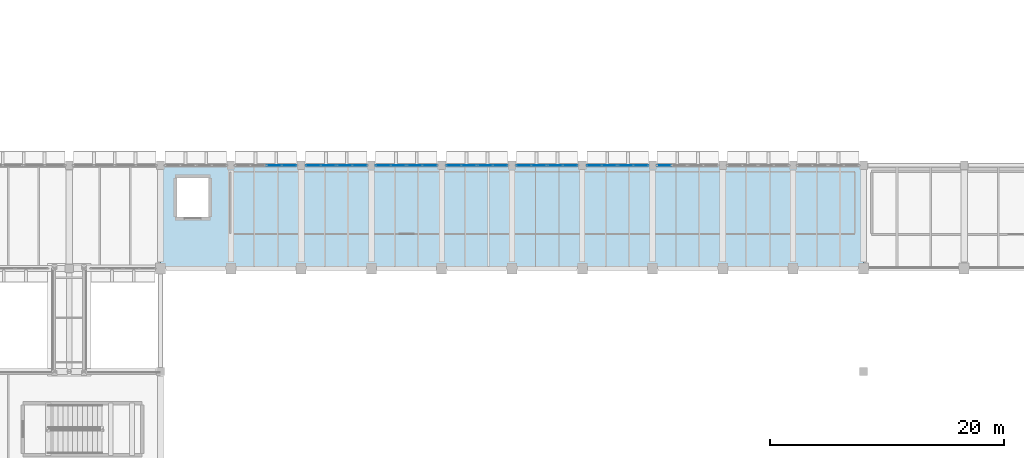
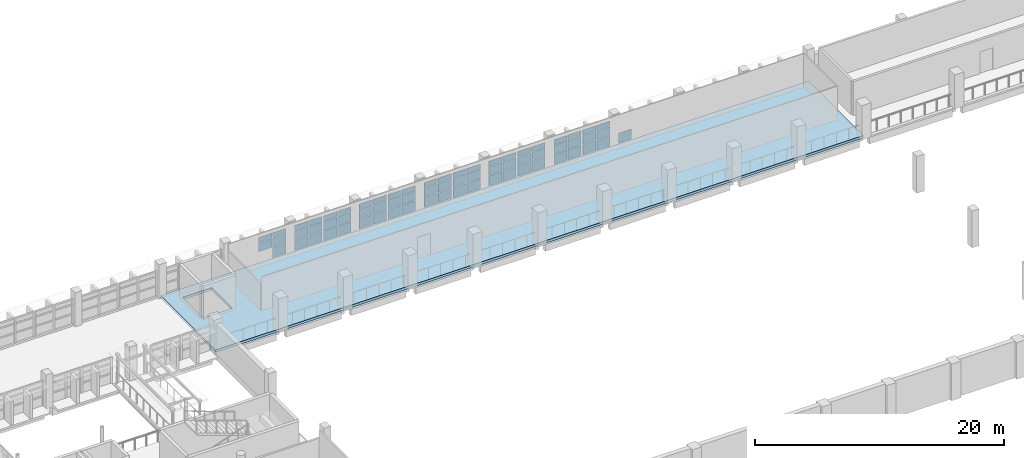
# One storey, part 49 of 75: 66 plates, 1 slab, 12 elements without a shape of their own.
"""IFC4 building model written with IfcOpenShell, lengths in metres."""

from ifc_helpers import new_model, si_unit, direction, frame, origin, origin_2d, place, context, subcontext, project, spatial, polyline, rectangle, outline, extrude, material, layer, layer_set, type_object, element, aggregate, save


model = new_model("IFC4")

# Units and contexts
model_context = context("Model", 3, precision=1e-05, world=origin(), true_north=direction((0.0, 1.0)))
body_context = subcontext(model_context, "Body", "Model", "MODEL_VIEW")
ifc_project = project(units=[si_unit("LENGTHUNIT", "METRE"), si_unit("AREAUNIT", "SQUARE_METRE"), si_unit("VOLUMEUNIT", "CUBIC_METRE"), si_unit("PLANEANGLEUNIT", "RADIAN"), si_unit("MASSUNIT", "GRAM", prefix="KILO")], contexts=[model_context])

# Site, building, storey
site_placement = place(None, origin())
site = spatial("IfcSite", under=ifc_project, at=site_placement, CompositionType="ELEMENT")
building_placement = place(site_placement, origin())
building = spatial("IfcBuilding", under=site, at=building_placement, Name="Varnakota Cinema and Media Centre", CompositionType="ELEMENT")
storey_placement = place(building_placement, frame((0.0, 0.0, 8.39990234375)))
storey = spatial("IfcBuildingStorey", under=building, at=storey_placement, Name="L02", CompositionType="ELEMENT", Elevation=8.39990234375)

# Curtain wall, plates
ifc_material_1 = material(Name="Thermally broken anodised aluminium AW-6063", Category="aluminium")
curtain_wall_type = type_object("IfcCurtainWallType", Name="CW-STD-264x258", PredefinedType="USERDEFINED", material=ifc_material_1)
curtain_wall_1_placement = place(storey_placement, origin())
curtain_wall_1 = element("IfcCurtainWall", 1, at=curtain_wall_1_placement, inside=storey, type_object=curtain_wall_type, Name="L02 curtain wall CW-L02-V1-N-02-2", ObjectType="UNITISED CURTAIN WALL", PredefinedType="USERDEFINED")
ifc_material_2 = material(Name="Laminated solar-control double glazing", Category="glass")
ifc_layer_1 = layer(ifc_material_2, 0.028076171875)
ifc_layer_set_1 = layer_set([ifc_layer_1], Name="Laminated solar-control double glazing")
plate_type = type_object("IfcPlateType", Name="CWP-DGU-28", PredefinedType="CURTAIN_PANEL", material=ifc_layer_set_1)
plate_1_placement = place(storey_placement, frame((84.684326171875, 44.0, 1.1142578125), z_axis=(0.0, 0.0, 1.0), x_axis=(1.0, 0.0, 0.0)))
plate_1 = element("IfcPlate", 2, at=plate_1_placement, type_object=plate_type, Name="CW29 panel 1.2", PredefinedType="CURTAIN_PANEL", context=body_context, shape_type="SweptSolid", body=[
    extrude(rectangle(XDim=1.2236328125, YDim=0.028076171875, at=origin_2d()), origin(), (0.0, 0.0, 1.0), 0.862060546875),
])
plate_2_placement = place(storey_placement, frame((84.684326171875, 44.0, 2.041015625), z_axis=(0.0, 0.0, 1.0), x_axis=(1.0, 0.0, 0.0)))
plate_2 = element("IfcPlate", 3, at=plate_2_placement, type_object=plate_type, Name="CW29 panel 1.3", PredefinedType="CURTAIN_PANEL", context=body_context, shape_type="SweptSolid", body=[
    extrude(rectangle(XDim=1.2236328125, YDim=0.028076171875, at=origin_2d()), origin(), (0.0, 0.0, 1.0), 0.468994140625),
])
plate_3_placement = place(storey_placement, frame((85.97314453125, 44.0, 0.065185546875), z_axis=(0.0, 0.0, 1.0), x_axis=(1.0, 0.0, 0.0)))
plate_3 = element("IfcPlate", 4, at=plate_3_placement, type_object=plate_type, Name="CW29 panel 2.1", PredefinedType="CURTAIN_PANEL", context=body_context, shape_type="SweptSolid", body=[
    extrude(rectangle(XDim=1.2236328125, YDim=0.028076171875, at=origin_2d()), origin(), (0.0, 0.0, 1.0), 0.98388671875),
])
plate_4_placement = place(storey_placement, frame((85.97314453125, 44.0, 1.1142578125), z_axis=(0.0, 0.0, 1.0), x_axis=(1.0, 0.0, 0.0)))
plate_4 = element("IfcPlate", 5, at=plate_4_placement, type_object=plate_type, Name="CW29 panel 2.2", PredefinedType="CURTAIN_PANEL", context=body_context, shape_type="SweptSolid", body=[
    extrude(rectangle(XDim=1.2236328125, YDim=0.028076171875, at=origin_2d()), origin(), (0.0, 0.0, 1.0), 0.862060546875),
])
plate_5_placement = place(storey_placement, frame((85.97314453125, 44.0, 2.041015625), z_axis=(0.0, 0.0, 1.0), x_axis=(1.0, 0.0, 0.0)))
plate_5 = element("IfcPlate", 6, at=plate_5_placement, type_object=plate_type, Name="CW29 panel 2.3", PredefinedType="CURTAIN_PANEL", context=body_context, shape_type="SweptSolid", body=[
    extrude(rectangle(XDim=1.2236328125, YDim=0.028076171875, at=origin_2d()), origin(), (0.0, 0.0, 1.0), 0.468994140625),
])
aggregate(curtain_wall_1, [plate_1, plate_2, plate_3, plate_4, plate_5])

curtain_wall_2_placement = place(storey_placement, origin())
curtain_wall_2 = element("IfcCurtainWall", 7, at=curtain_wall_2_placement, inside=storey, type_object=curtain_wall_type, Name="L02 curtain wall CW-L02-V1-N-03-1", ObjectType="UNITISED CURTAIN WALL", PredefinedType="USERDEFINED")
plate_6_placement = place(storey_placement, frame((88.02685546875, 44.0, 0.065185546875), z_axis=(0.0, 0.0, 1.0), x_axis=(1.0, 0.0, 0.0)))
plate_6 = element("IfcPlate", 8, at=plate_6_placement, type_object=plate_type, Name="CW29 panel 1.1", PredefinedType="CURTAIN_PANEL", context=body_context, shape_type="SweptSolid", body=[
    extrude(rectangle(XDim=1.2236328125, YDim=0.028076171875, at=origin_2d()), origin(), (0.0, 0.0, 1.0), 0.98388671875),
])
plate_7_placement = place(storey_placement, frame((88.02685546875, 44.0, 1.1142578125), z_axis=(0.0, 0.0, 1.0), x_axis=(1.0, 0.0, 0.0)))
plate_7 = element("IfcPlate", 9, at=plate_7_placement, type_object=plate_type, Name="CW29 panel 1.2", PredefinedType="CURTAIN_PANEL", context=body_context, shape_type="SweptSolid", body=[
    extrude(rectangle(XDim=1.2236328125, YDim=0.028076171875, at=origin_2d()), origin(), (0.0, 0.0, 1.0), 0.862060546875),
])
plate_8_placement = place(storey_placement, frame((88.02685546875, 44.0, 2.041015625), z_axis=(0.0, 0.0, 1.0), x_axis=(1.0, 0.0, 0.0)))
plate_8 = element("IfcPlate", 10, at=plate_8_placement, type_object=plate_type, Name="CW29 panel 1.3", PredefinedType="CURTAIN_PANEL", context=body_context, shape_type="SweptSolid", body=[
    extrude(rectangle(XDim=1.2236328125, YDim=0.028076171875, at=origin_2d()), origin(), (0.0, 0.0, 1.0), 0.468994140625),
])
plate_9_placement = place(storey_placement, frame((89.315673828125, 44.0, 0.065185546875), z_axis=(0.0, 0.0, 1.0), x_axis=(1.0, 0.0, 0.0)))
plate_9 = element("IfcPlate", 11, at=plate_9_placement, type_object=plate_type, Name="CW29 panel 2.1", PredefinedType="CURTAIN_PANEL", context=body_context, shape_type="SweptSolid", body=[
    extrude(rectangle(XDim=1.2236328125, YDim=0.028076171875, at=origin_2d()), origin(), (0.0, 0.0, 1.0), 0.98388671875),
])
plate_10_placement = place(storey_placement, frame((89.315673828125, 44.0, 1.1142578125), z_axis=(0.0, 0.0, 1.0), x_axis=(1.0, 0.0, 0.0)))
plate_10 = element("IfcPlate", 12, at=plate_10_placement, type_object=plate_type, Name="CW29 panel 2.2", PredefinedType="CURTAIN_PANEL", context=body_context, shape_type="SweptSolid", body=[
    extrude(rectangle(XDim=1.2236328125, YDim=0.028076171875, at=origin_2d()), origin(), (0.0, 0.0, 1.0), 0.862060546875),
])
plate_11_placement = place(storey_placement, frame((89.315673828125, 44.0, 2.041015625), z_axis=(0.0, 0.0, 1.0), x_axis=(1.0, 0.0, 0.0)))
plate_11 = element("IfcPlate", 13, at=plate_11_placement, type_object=plate_type, Name="CW29 panel 2.3", PredefinedType="CURTAIN_PANEL", context=body_context, shape_type="SweptSolid", body=[
    extrude(rectangle(XDim=1.2236328125, YDim=0.028076171875, at=origin_2d()), origin(), (0.0, 0.0, 1.0), 0.468994140625),
])
aggregate(curtain_wall_2, [plate_6, plate_7, plate_8, plate_9, plate_10, plate_11])

curtain_wall_3_placement = place(storey_placement, origin())
curtain_wall_3 = element("IfcCurtainWall", 14, at=curtain_wall_3_placement, inside=storey, type_object=curtain_wall_type, Name="L02 curtain wall CW-L02-V1-N-03-2", ObjectType="UNITISED CURTAIN WALL", PredefinedType="USERDEFINED")
plate_12_placement = place(storey_placement, frame((90.70947265625, 44.0, 0.065185546875), z_axis=(0.0, 0.0, 1.0), x_axis=(1.0, 0.0, 0.0)))
plate_12 = element("IfcPlate", 15, at=plate_12_placement, type_object=plate_type, Name="CW29 panel 1.1", PredefinedType="CURTAIN_PANEL", context=body_context, shape_type="SweptSolid", body=[
    extrude(rectangle(XDim=1.2236328125, YDim=0.028076171875, at=origin_2d()), origin(), (0.0, 0.0, 1.0), 0.98388671875),
])
plate_13_placement = place(storey_placement, frame((90.70947265625, 44.0, 1.1142578125), z_axis=(0.0, 0.0, 1.0), x_axis=(1.0, 0.0, 0.0)))
plate_13 = element("IfcPlate", 16, at=plate_13_placement, type_object=plate_type, Name="CW29 panel 1.2", PredefinedType="CURTAIN_PANEL", context=body_context, shape_type="SweptSolid", body=[
    extrude(rectangle(XDim=1.2236328125, YDim=0.028076171875, at=origin_2d()), origin(), (0.0, 0.0, 1.0), 0.862060546875),
])
plate_14_placement = place(storey_placement, frame((90.70947265625, 44.0, 2.041015625), z_axis=(0.0, 0.0, 1.0), x_axis=(1.0, 0.0, 0.0)))
plate_14 = element("IfcPlate", 17, at=plate_14_placement, type_object=plate_type, Name="CW29 panel 1.3", PredefinedType="CURTAIN_PANEL", context=body_context, shape_type="SweptSolid", body=[
    extrude(rectangle(XDim=1.2236328125, YDim=0.028076171875, at=origin_2d()), origin(), (0.0, 0.0, 1.0), 0.468994140625),
])
plate_15_placement = place(storey_placement, frame((91.998046875, 44.0, 0.065185546875), z_axis=(0.0, 0.0, 1.0), x_axis=(1.0, 0.0, 0.0)))
plate_15 = element("IfcPlate", 18, at=plate_15_placement, type_object=plate_type, Name="CW29 panel 2.1", PredefinedType="CURTAIN_PANEL", context=body_context, shape_type="SweptSolid", body=[
    extrude(rectangle(XDim=1.2236328125, YDim=0.028076171875, at=origin_2d()), origin(), (0.0, 0.0, 1.0), 0.98388671875),
])
plate_16_placement = place(storey_placement, frame((91.998046875, 44.0, 1.1142578125), z_axis=(0.0, 0.0, 1.0), x_axis=(1.0, 0.0, 0.0)))
plate_16 = element("IfcPlate", 19, at=plate_16_placement, type_object=plate_type, Name="CW29 panel 2.2", PredefinedType="CURTAIN_PANEL", context=body_context, shape_type="SweptSolid", body=[
    extrude(rectangle(XDim=1.2236328125, YDim=0.028076171875, at=origin_2d()), origin(), (0.0, 0.0, 1.0), 0.862060546875),
])
plate_17_placement = place(storey_placement, frame((91.998046875, 44.0, 2.041015625), z_axis=(0.0, 0.0, 1.0), x_axis=(1.0, 0.0, 0.0)))
plate_17 = element("IfcPlate", 20, at=plate_17_placement, type_object=plate_type, Name="CW29 panel 2.3", PredefinedType="CURTAIN_PANEL", context=body_context, shape_type="SweptSolid", body=[
    extrude(rectangle(XDim=1.2236328125, YDim=0.028076171875, at=origin_2d()), origin(), (0.0, 0.0, 1.0), 0.468994140625),
])
aggregate(curtain_wall_3, [plate_12, plate_13, plate_14, plate_15, plate_16, plate_17])

curtain_wall_4_placement = place(storey_placement, origin())
curtain_wall_4 = element("IfcCurtainWall", 21, at=curtain_wall_4_placement, inside=storey, type_object=curtain_wall_type, Name="L02 curtain wall CW-L02-V1-N-04-1", ObjectType="UNITISED CURTAIN WALL", PredefinedType="USERDEFINED")
plate_18_placement = place(storey_placement, frame((94.001953125, 44.0, 0.065185546875), z_axis=(0.0, 0.0, 1.0), x_axis=(1.0, 0.0, 0.0)))
plate_18 = element("IfcPlate", 22, at=plate_18_placement, type_object=plate_type, Name="CW29 panel 1.1", PredefinedType="CURTAIN_PANEL", context=body_context, shape_type="SweptSolid", body=[
    extrude(rectangle(XDim=1.2236328125, YDim=0.028076171875, at=origin_2d()), origin(), (0.0, 0.0, 1.0), 0.98388671875),
])
plate_19_placement = place(storey_placement, frame((94.001953125, 44.0, 1.1142578125), z_axis=(0.0, 0.0, 1.0), x_axis=(1.0, 0.0, 0.0)))
plate_19 = element("IfcPlate", 23, at=plate_19_placement, type_object=plate_type, Name="CW29 panel 1.2", PredefinedType="CURTAIN_PANEL", context=body_context, shape_type="SweptSolid", body=[
    extrude(rectangle(XDim=1.2236328125, YDim=0.028076171875, at=origin_2d()), origin(), (0.0, 0.0, 1.0), 0.862060546875),
])
plate_20_placement = place(storey_placement, frame((94.001953125, 44.0, 2.041015625), z_axis=(0.0, 0.0, 1.0), x_axis=(1.0, 0.0, 0.0)))
plate_20 = element("IfcPlate", 24, at=plate_20_placement, type_object=plate_type, Name="CW29 panel 1.3", PredefinedType="CURTAIN_PANEL", context=body_context, shape_type="SweptSolid", body=[
    extrude(rectangle(XDim=1.2236328125, YDim=0.028076171875, at=origin_2d()), origin(), (0.0, 0.0, 1.0), 0.468994140625),
])
plate_21_placement = place(storey_placement, frame((95.29052734375, 44.0, 0.065185546875), z_axis=(0.0, 0.0, 1.0), x_axis=(1.0, 0.0, 0.0)))
plate_21 = element("IfcPlate", 25, at=plate_21_placement, type_object=plate_type, Name="CW29 panel 2.1", PredefinedType="CURTAIN_PANEL", context=body_context, shape_type="SweptSolid", body=[
    extrude(rectangle(XDim=1.2236328125, YDim=0.028076171875, at=origin_2d()), origin(), (0.0, 0.0, 1.0), 0.98388671875),
])
plate_22_placement = place(storey_placement, frame((95.29052734375, 44.0, 1.1142578125), z_axis=(0.0, 0.0, 1.0), x_axis=(1.0, 0.0, 0.0)))
plate_22 = element("IfcPlate", 26, at=plate_22_placement, type_object=plate_type, Name="CW29 panel 2.2", PredefinedType="CURTAIN_PANEL", context=body_context, shape_type="SweptSolid", body=[
    extrude(rectangle(XDim=1.2236328125, YDim=0.028076171875, at=origin_2d()), origin(), (0.0, 0.0, 1.0), 0.862060546875),
])
plate_23_placement = place(storey_placement, frame((95.29052734375, 44.0, 2.041015625), z_axis=(0.0, 0.0, 1.0), x_axis=(1.0, 0.0, 0.0)))
plate_23 = element("IfcPlate", 27, at=plate_23_placement, type_object=plate_type, Name="CW29 panel 2.3", PredefinedType="CURTAIN_PANEL", context=body_context, shape_type="SweptSolid", body=[
    extrude(rectangle(XDim=1.2236328125, YDim=0.028076171875, at=origin_2d()), origin(), (0.0, 0.0, 1.0), 0.468994140625),
])
aggregate(curtain_wall_4, [plate_18, plate_19, plate_20, plate_21, plate_22, plate_23])

curtain_wall_5_placement = place(storey_placement, origin())
curtain_wall_5 = element("IfcCurtainWall", 28, at=curtain_wall_5_placement, inside=storey, type_object=curtain_wall_type, Name="L02 curtain wall CW-L02-V1-N-04-2", ObjectType="UNITISED CURTAIN WALL", PredefinedType="USERDEFINED")
plate_24_placement = place(storey_placement, frame((96.684326171875, 44.0, 0.065185546875), z_axis=(0.0, 0.0, 1.0), x_axis=(1.0, 0.0, 0.0)))
plate_24 = element("IfcPlate", 29, at=plate_24_placement, type_object=plate_type, Name="CW29 panel 1.1", PredefinedType="CURTAIN_PANEL", context=body_context, shape_type="SweptSolid", body=[
    extrude(rectangle(XDim=1.2236328125, YDim=0.028076171875, at=origin_2d()), origin(), (0.0, 0.0, 1.0), 0.98388671875),
])
plate_25_placement = place(storey_placement, frame((96.684326171875, 44.0, 1.1142578125), z_axis=(0.0, 0.0, 1.0), x_axis=(1.0, 0.0, 0.0)))
plate_25 = element("IfcPlate", 30, at=plate_25_placement, type_object=plate_type, Name="CW29 panel 1.2", PredefinedType="CURTAIN_PANEL", context=body_context, shape_type="SweptSolid", body=[
    extrude(rectangle(XDim=1.2236328125, YDim=0.028076171875, at=origin_2d()), origin(), (0.0, 0.0, 1.0), 0.862060546875),
])
plate_26_placement = place(storey_placement, frame((96.684326171875, 44.0, 2.041015625), z_axis=(0.0, 0.0, 1.0), x_axis=(1.0, 0.0, 0.0)))
plate_26 = element("IfcPlate", 31, at=plate_26_placement, type_object=plate_type, Name="CW29 panel 1.3", PredefinedType="CURTAIN_PANEL", context=body_context, shape_type="SweptSolid", body=[
    extrude(rectangle(XDim=1.2236328125, YDim=0.028076171875, at=origin_2d()), origin(), (0.0, 0.0, 1.0), 0.468994140625),
])
plate_27_placement = place(storey_placement, frame((97.97314453125, 44.0, 0.065185546875), z_axis=(0.0, 0.0, 1.0), x_axis=(1.0, 0.0, 0.0)))
plate_27 = element("IfcPlate", 32, at=plate_27_placement, type_object=plate_type, Name="CW29 panel 2.1", PredefinedType="CURTAIN_PANEL", context=body_context, shape_type="SweptSolid", body=[
    extrude(rectangle(XDim=1.2236328125, YDim=0.028076171875, at=origin_2d()), origin(), (0.0, 0.0, 1.0), 0.98388671875),
])
plate_28_placement = place(storey_placement, frame((97.97314453125, 44.0, 1.1142578125), z_axis=(0.0, 0.0, 1.0), x_axis=(1.0, 0.0, 0.0)))
plate_28 = element("IfcPlate", 33, at=plate_28_placement, type_object=plate_type, Name="CW29 panel 2.2", PredefinedType="CURTAIN_PANEL", context=body_context, shape_type="SweptSolid", body=[
    extrude(rectangle(XDim=1.2236328125, YDim=0.028076171875, at=origin_2d()), origin(), (0.0, 0.0, 1.0), 0.862060546875),
])
plate_29_placement = place(storey_placement, frame((97.97314453125, 44.0, 2.041015625), z_axis=(0.0, 0.0, 1.0), x_axis=(1.0, 0.0, 0.0)))
plate_29 = element("IfcPlate", 34, at=plate_29_placement, type_object=plate_type, Name="CW29 panel 2.3", PredefinedType="CURTAIN_PANEL", context=body_context, shape_type="SweptSolid", body=[
    extrude(rectangle(XDim=1.2236328125, YDim=0.028076171875, at=origin_2d()), origin(), (0.0, 0.0, 1.0), 0.468994140625),
])
aggregate(curtain_wall_5, [plate_24, plate_25, plate_26, plate_27, plate_28, plate_29])

curtain_wall_6_placement = place(storey_placement, origin())
curtain_wall_6 = element("IfcCurtainWall", 35, at=curtain_wall_6_placement, inside=storey, type_object=curtain_wall_type, Name="L02 curtain wall CW-L02-V1-N-05-1", ObjectType="UNITISED CURTAIN WALL", PredefinedType="USERDEFINED")
plate_30_placement = place(storey_placement, frame((100.02685546875, 44.0, 0.065185546875), z_axis=(0.0, 0.0, 1.0), x_axis=(1.0, 0.0, 0.0)))
plate_30 = element("IfcPlate", 36, at=plate_30_placement, type_object=plate_type, Name="CW29 panel 1.1", PredefinedType="CURTAIN_PANEL", context=body_context, shape_type="SweptSolid", body=[
    extrude(rectangle(XDim=1.2236328125, YDim=0.028076171875, at=origin_2d()), origin(), (0.0, 0.0, 1.0), 0.98388671875),
])
plate_31_placement = place(storey_placement, frame((100.02685546875, 44.0, 1.1142578125), z_axis=(0.0, 0.0, 1.0), x_axis=(1.0, 0.0, 0.0)))
plate_31 = element("IfcPlate", 37, at=plate_31_placement, type_object=plate_type, Name="CW29 panel 1.2", PredefinedType="CURTAIN_PANEL", context=body_context, shape_type="SweptSolid", body=[
    extrude(rectangle(XDim=1.2236328125, YDim=0.028076171875, at=origin_2d()), origin(), (0.0, 0.0, 1.0), 0.862060546875),
])
plate_32_placement = place(storey_placement, frame((100.02685546875, 44.0, 2.041015625), z_axis=(0.0, 0.0, 1.0), x_axis=(1.0, 0.0, 0.0)))
plate_32 = element("IfcPlate", 38, at=plate_32_placement, type_object=plate_type, Name="CW29 panel 1.3", PredefinedType="CURTAIN_PANEL", context=body_context, shape_type="SweptSolid", body=[
    extrude(rectangle(XDim=1.2236328125, YDim=0.028076171875, at=origin_2d()), origin(), (0.0, 0.0, 1.0), 0.468994140625),
])
plate_33_placement = place(storey_placement, frame((101.315673828125, 44.0, 0.065185546875), z_axis=(0.0, 0.0, 1.0), x_axis=(1.0, 0.0, 0.0)))
plate_33 = element("IfcPlate", 39, at=plate_33_placement, type_object=plate_type, Name="CW29 panel 2.1", PredefinedType="CURTAIN_PANEL", context=body_context, shape_type="SweptSolid", body=[
    extrude(rectangle(XDim=1.2236328125, YDim=0.028076171875, at=origin_2d()), origin(), (0.0, 0.0, 1.0), 0.98388671875),
])
plate_34_placement = place(storey_placement, frame((101.315673828125, 44.0, 1.1142578125), z_axis=(0.0, 0.0, 1.0), x_axis=(1.0, 0.0, 0.0)))
plate_34 = element("IfcPlate", 40, at=plate_34_placement, type_object=plate_type, Name="CW29 panel 2.2", PredefinedType="CURTAIN_PANEL", context=body_context, shape_type="SweptSolid", body=[
    extrude(rectangle(XDim=1.2236328125, YDim=0.028076171875, at=origin_2d()), origin(), (0.0, 0.0, 1.0), 0.862060546875),
])
plate_35_placement = place(storey_placement, frame((101.315673828125, 44.0, 2.041015625), z_axis=(0.0, 0.0, 1.0), x_axis=(1.0, 0.0, 0.0)))
plate_35 = element("IfcPlate", 41, at=plate_35_placement, type_object=plate_type, Name="CW29 panel 2.3", PredefinedType="CURTAIN_PANEL", context=body_context, shape_type="SweptSolid", body=[
    extrude(rectangle(XDim=1.2236328125, YDim=0.028076171875, at=origin_2d()), origin(), (0.0, 0.0, 1.0), 0.468994140625),
])
aggregate(curtain_wall_6, [plate_30, plate_31, plate_32, plate_33, plate_34, plate_35])

curtain_wall_7_placement = place(storey_placement, origin())
curtain_wall_7 = element("IfcCurtainWall", 42, at=curtain_wall_7_placement, inside=storey, type_object=curtain_wall_type, Name="L02 curtain wall CW-L02-V1-N-05-2", ObjectType="UNITISED CURTAIN WALL", PredefinedType="USERDEFINED")
plate_36_placement = place(storey_placement, frame((102.70947265625, 44.0, 0.065185546875), z_axis=(0.0, 0.0, 1.0), x_axis=(1.0, 0.0, 0.0)))
plate_36 = element("IfcPlate", 43, at=plate_36_placement, type_object=plate_type, Name="CW29 panel 1.1", PredefinedType="CURTAIN_PANEL", context=body_context, shape_type="SweptSolid", body=[
    extrude(rectangle(XDim=1.2236328125, YDim=0.028076171875, at=origin_2d()), origin(), (0.0, 0.0, 1.0), 0.98388671875),
])
plate_37_placement = place(storey_placement, frame((102.70947265625, 44.0, 1.1142578125), z_axis=(0.0, 0.0, 1.0), x_axis=(1.0, 0.0, 0.0)))
plate_37 = element("IfcPlate", 44, at=plate_37_placement, type_object=plate_type, Name="CW29 panel 1.2", PredefinedType="CURTAIN_PANEL", context=body_context, shape_type="SweptSolid", body=[
    extrude(rectangle(XDim=1.2236328125, YDim=0.028076171875, at=origin_2d()), origin(), (0.0, 0.0, 1.0), 0.862060546875),
])
plate_38_placement = place(storey_placement, frame((102.70947265625, 44.0, 2.041015625), z_axis=(0.0, 0.0, 1.0), x_axis=(1.0, 0.0, 0.0)))
plate_38 = element("IfcPlate", 45, at=plate_38_placement, type_object=plate_type, Name="CW29 panel 1.3", PredefinedType="CURTAIN_PANEL", context=body_context, shape_type="SweptSolid", body=[
    extrude(rectangle(XDim=1.2236328125, YDim=0.028076171875, at=origin_2d()), origin(), (0.0, 0.0, 1.0), 0.468994140625),
])
plate_39_placement = place(storey_placement, frame((103.998046875, 44.0, 0.065185546875), z_axis=(0.0, 0.0, 1.0), x_axis=(1.0, 0.0, 0.0)))
plate_39 = element("IfcPlate", 46, at=plate_39_placement, type_object=plate_type, Name="CW29 panel 2.1", PredefinedType="CURTAIN_PANEL", context=body_context, shape_type="SweptSolid", body=[
    extrude(rectangle(XDim=1.2236328125, YDim=0.028076171875, at=origin_2d()), origin(), (0.0, 0.0, 1.0), 0.98388671875),
])
plate_40_placement = place(storey_placement, frame((103.998046875, 44.0, 1.1142578125), z_axis=(0.0, 0.0, 1.0), x_axis=(1.0, 0.0, 0.0)))
plate_40 = element("IfcPlate", 47, at=plate_40_placement, type_object=plate_type, Name="CW29 panel 2.2", PredefinedType="CURTAIN_PANEL", context=body_context, shape_type="SweptSolid", body=[
    extrude(rectangle(XDim=1.2236328125, YDim=0.028076171875, at=origin_2d()), origin(), (0.0, 0.0, 1.0), 0.862060546875),
])
plate_41_placement = place(storey_placement, frame((103.998046875, 44.0, 2.041015625), z_axis=(0.0, 0.0, 1.0), x_axis=(1.0, 0.0, 0.0)))
plate_41 = element("IfcPlate", 48, at=plate_41_placement, type_object=plate_type, Name="CW29 panel 2.3", PredefinedType="CURTAIN_PANEL", context=body_context, shape_type="SweptSolid", body=[
    extrude(rectangle(XDim=1.2236328125, YDim=0.028076171875, at=origin_2d()), origin(), (0.0, 0.0, 1.0), 0.468994140625),
])
aggregate(curtain_wall_7, [plate_36, plate_37, plate_38, plate_39, plate_40, plate_41])

curtain_wall_8_placement = place(storey_placement, origin())
curtain_wall_8 = element("IfcCurtainWall", 49, at=curtain_wall_8_placement, inside=storey, type_object=curtain_wall_type, Name="L02 curtain wall CW-L02-V1-N-06-1", ObjectType="UNITISED CURTAIN WALL", PredefinedType="USERDEFINED")
plate_42_placement = place(storey_placement, frame((106.001953125, 44.0, 0.065185546875), z_axis=(0.0, 0.0, 1.0), x_axis=(1.0, 0.0, 0.0)))
plate_42 = element("IfcPlate", 50, at=plate_42_placement, type_object=plate_type, Name="CW29 panel 1.1", PredefinedType="CURTAIN_PANEL", context=body_context, shape_type="SweptSolid", body=[
    extrude(rectangle(XDim=1.2236328125, YDim=0.028076171875, at=origin_2d()), origin(), (0.0, 0.0, 1.0), 0.98388671875),
])
plate_43_placement = place(storey_placement, frame((106.001953125, 44.0, 1.1142578125), z_axis=(0.0, 0.0, 1.0), x_axis=(1.0, 0.0, 0.0)))
plate_43 = element("IfcPlate", 51, at=plate_43_placement, type_object=plate_type, Name="CW29 panel 1.2", PredefinedType="CURTAIN_PANEL", context=body_context, shape_type="SweptSolid", body=[
    extrude(rectangle(XDim=1.2236328125, YDim=0.028076171875, at=origin_2d()), origin(), (0.0, 0.0, 1.0), 0.862060546875),
])
plate_44_placement = place(storey_placement, frame((106.001953125, 44.0, 2.041015625), z_axis=(0.0, 0.0, 1.0), x_axis=(1.0, 0.0, 0.0)))
plate_44 = element("IfcPlate", 52, at=plate_44_placement, type_object=plate_type, Name="CW29 panel 1.3", PredefinedType="CURTAIN_PANEL", context=body_context, shape_type="SweptSolid", body=[
    extrude(rectangle(XDim=1.2236328125, YDim=0.028076171875, at=origin_2d()), origin(), (0.0, 0.0, 1.0), 0.468994140625),
])
plate_45_placement = place(storey_placement, frame((107.29052734375, 44.0, 0.065185546875), z_axis=(0.0, 0.0, 1.0), x_axis=(1.0, 0.0, 0.0)))
plate_45 = element("IfcPlate", 53, at=plate_45_placement, type_object=plate_type, Name="CW29 panel 2.1", PredefinedType="CURTAIN_PANEL", context=body_context, shape_type="SweptSolid", body=[
    extrude(rectangle(XDim=1.2236328125, YDim=0.028076171875, at=origin_2d()), origin(), (0.0, 0.0, 1.0), 0.98388671875),
])
plate_46_placement = place(storey_placement, frame((107.29052734375, 44.0, 1.1142578125), z_axis=(0.0, 0.0, 1.0), x_axis=(1.0, 0.0, 0.0)))
plate_46 = element("IfcPlate", 54, at=plate_46_placement, type_object=plate_type, Name="CW29 panel 2.2", PredefinedType="CURTAIN_PANEL", context=body_context, shape_type="SweptSolid", body=[
    extrude(rectangle(XDim=1.2236328125, YDim=0.028076171875, at=origin_2d()), origin(), (0.0, 0.0, 1.0), 0.862060546875),
])
plate_47_placement = place(storey_placement, frame((107.29052734375, 44.0, 2.041015625), z_axis=(0.0, 0.0, 1.0), x_axis=(1.0, 0.0, 0.0)))
plate_47 = element("IfcPlate", 55, at=plate_47_placement, type_object=plate_type, Name="CW29 panel 2.3", PredefinedType="CURTAIN_PANEL", context=body_context, shape_type="SweptSolid", body=[
    extrude(rectangle(XDim=1.2236328125, YDim=0.028076171875, at=origin_2d()), origin(), (0.0, 0.0, 1.0), 0.468994140625),
])
aggregate(curtain_wall_8, [plate_42, plate_43, plate_44, plate_45, plate_46, plate_47])

curtain_wall_9_placement = place(storey_placement, origin())
curtain_wall_9 = element("IfcCurtainWall", 56, at=curtain_wall_9_placement, inside=storey, type_object=curtain_wall_type, Name="L02 curtain wall CW-L02-V1-N-06-2", ObjectType="UNITISED CURTAIN WALL", PredefinedType="USERDEFINED")
plate_48_placement = place(storey_placement, frame((108.684326171875, 44.0, 0.065185546875), z_axis=(0.0, 0.0, 1.0), x_axis=(1.0, 0.0, 0.0)))
plate_48 = element("IfcPlate", 57, at=plate_48_placement, type_object=plate_type, Name="CW29 panel 1.1", PredefinedType="CURTAIN_PANEL", context=body_context, shape_type="SweptSolid", body=[
    extrude(rectangle(XDim=1.2236328125, YDim=0.028076171875, at=origin_2d()), origin(), (0.0, 0.0, 1.0), 0.98388671875),
])
plate_49_placement = place(storey_placement, frame((108.684326171875, 44.0, 1.1142578125), z_axis=(0.0, 0.0, 1.0), x_axis=(1.0, 0.0, 0.0)))
plate_49 = element("IfcPlate", 58, at=plate_49_placement, type_object=plate_type, Name="CW29 panel 1.2", PredefinedType="CURTAIN_PANEL", context=body_context, shape_type="SweptSolid", body=[
    extrude(rectangle(XDim=1.2236328125, YDim=0.028076171875, at=origin_2d()), origin(), (0.0, 0.0, 1.0), 0.862060546875),
])
plate_50_placement = place(storey_placement, frame((108.684326171875, 44.0, 2.041015625), z_axis=(0.0, 0.0, 1.0), x_axis=(1.0, 0.0, 0.0)))
plate_50 = element("IfcPlate", 59, at=plate_50_placement, type_object=plate_type, Name="CW29 panel 1.3", PredefinedType="CURTAIN_PANEL", context=body_context, shape_type="SweptSolid", body=[
    extrude(rectangle(XDim=1.2236328125, YDim=0.028076171875, at=origin_2d()), origin(), (0.0, 0.0, 1.0), 0.468994140625),
])
plate_51_placement = place(storey_placement, frame((109.97314453125, 44.0, 0.065185546875), z_axis=(0.0, 0.0, 1.0), x_axis=(1.0, 0.0, 0.0)))
plate_51 = element("IfcPlate", 60, at=plate_51_placement, type_object=plate_type, Name="CW29 panel 2.1", PredefinedType="CURTAIN_PANEL", context=body_context, shape_type="SweptSolid", body=[
    extrude(rectangle(XDim=1.2236328125, YDim=0.028076171875, at=origin_2d()), origin(), (0.0, 0.0, 1.0), 0.98388671875),
])
plate_52_placement = place(storey_placement, frame((109.97314453125, 44.0, 1.1142578125), z_axis=(0.0, 0.0, 1.0), x_axis=(1.0, 0.0, 0.0)))
plate_52 = element("IfcPlate", 61, at=plate_52_placement, type_object=plate_type, Name="CW29 panel 2.2", PredefinedType="CURTAIN_PANEL", context=body_context, shape_type="SweptSolid", body=[
    extrude(rectangle(XDim=1.2236328125, YDim=0.028076171875, at=origin_2d()), origin(), (0.0, 0.0, 1.0), 0.862060546875),
])
plate_53_placement = place(storey_placement, frame((109.97314453125, 44.0, 2.041015625), z_axis=(0.0, 0.0, 1.0), x_axis=(1.0, 0.0, 0.0)))
plate_53 = element("IfcPlate", 62, at=plate_53_placement, type_object=plate_type, Name="CW29 panel 2.3", PredefinedType="CURTAIN_PANEL", context=body_context, shape_type="SweptSolid", body=[
    extrude(rectangle(XDim=1.2236328125, YDim=0.028076171875, at=origin_2d()), origin(), (0.0, 0.0, 1.0), 0.468994140625),
])
aggregate(curtain_wall_9, [plate_48, plate_49, plate_50, plate_51, plate_52, plate_53])

curtain_wall_10_placement = place(storey_placement, origin())
curtain_wall_10 = element("IfcCurtainWall", 63, at=curtain_wall_10_placement, inside=storey, type_object=curtain_wall_type, Name="L02 curtain wall CW-L02-V1-N-07-1", ObjectType="UNITISED CURTAIN WALL", PredefinedType="USERDEFINED")
plate_54_placement = place(storey_placement, frame((112.02685546875, 44.0, 0.065185546875), z_axis=(0.0, 0.0, 1.0), x_axis=(1.0, 0.0, 0.0)))
plate_54 = element("IfcPlate", 64, at=plate_54_placement, type_object=plate_type, Name="CW29 panel 1.1", PredefinedType="CURTAIN_PANEL", context=body_context, shape_type="SweptSolid", body=[
    extrude(rectangle(XDim=1.2236328125, YDim=0.028076171875, at=origin_2d()), origin(), (0.0, 0.0, 1.0), 0.98388671875),
])
plate_55_placement = place(storey_placement, frame((112.02685546875, 44.0, 1.1142578125), z_axis=(0.0, 0.0, 1.0), x_axis=(1.0, 0.0, 0.0)))
plate_55 = element("IfcPlate", 65, at=plate_55_placement, type_object=plate_type, Name="CW29 panel 1.2", PredefinedType="CURTAIN_PANEL", context=body_context, shape_type="SweptSolid", body=[
    extrude(rectangle(XDim=1.2236328125, YDim=0.028076171875, at=origin_2d()), origin(), (0.0, 0.0, 1.0), 0.862060546875),
])
plate_56_placement = place(storey_placement, frame((112.02685546875, 44.0, 2.041015625), z_axis=(0.0, 0.0, 1.0), x_axis=(1.0, 0.0, 0.0)))
plate_56 = element("IfcPlate", 66, at=plate_56_placement, type_object=plate_type, Name="CW29 panel 1.3", PredefinedType="CURTAIN_PANEL", context=body_context, shape_type="SweptSolid", body=[
    extrude(rectangle(XDim=1.2236328125, YDim=0.028076171875, at=origin_2d()), origin(), (0.0, 0.0, 1.0), 0.468994140625),
])
plate_57_placement = place(storey_placement, frame((113.315673828125, 44.0, 0.065185546875), z_axis=(0.0, 0.0, 1.0), x_axis=(1.0, 0.0, 0.0)))
plate_57 = element("IfcPlate", 67, at=plate_57_placement, type_object=plate_type, Name="CW29 panel 2.1", PredefinedType="CURTAIN_PANEL", context=body_context, shape_type="SweptSolid", body=[
    extrude(rectangle(XDim=1.2236328125, YDim=0.028076171875, at=origin_2d()), origin(), (0.0, 0.0, 1.0), 0.98388671875),
])
plate_58_placement = place(storey_placement, frame((113.315673828125, 44.0, 1.1142578125), z_axis=(0.0, 0.0, 1.0), x_axis=(1.0, 0.0, 0.0)))
plate_58 = element("IfcPlate", 68, at=plate_58_placement, type_object=plate_type, Name="CW29 panel 2.2", PredefinedType="CURTAIN_PANEL", context=body_context, shape_type="SweptSolid", body=[
    extrude(rectangle(XDim=1.2236328125, YDim=0.028076171875, at=origin_2d()), origin(), (0.0, 0.0, 1.0), 0.862060546875),
])
plate_59_placement = place(storey_placement, frame((113.315673828125, 44.0, 2.041015625), z_axis=(0.0, 0.0, 1.0), x_axis=(1.0, 0.0, 0.0)))
plate_59 = element("IfcPlate", 69, at=plate_59_placement, type_object=plate_type, Name="CW29 panel 2.3", PredefinedType="CURTAIN_PANEL", context=body_context, shape_type="SweptSolid", body=[
    extrude(rectangle(XDim=1.2236328125, YDim=0.028076171875, at=origin_2d()), origin(), (0.0, 0.0, 1.0), 0.468994140625),
])
aggregate(curtain_wall_10, [plate_54, plate_55, plate_56, plate_57, plate_58, plate_59])

curtain_wall_11_placement = place(storey_placement, origin())
curtain_wall_11 = element("IfcCurtainWall", 70, at=curtain_wall_11_placement, inside=storey, type_object=curtain_wall_type, Name="L02 curtain wall CW-L02-V1-N-07-2", ObjectType="UNITISED CURTAIN WALL", PredefinedType="USERDEFINED")
plate_60_placement = place(storey_placement, frame((114.70947265625, 44.0, 0.065185546875), z_axis=(0.0, 0.0, 1.0), x_axis=(1.0, 0.0, 0.0)))
plate_60 = element("IfcPlate", 71, at=plate_60_placement, type_object=plate_type, Name="CW29 panel 1.1", PredefinedType="CURTAIN_PANEL", context=body_context, shape_type="SweptSolid", body=[
    extrude(rectangle(XDim=1.2236328125, YDim=0.028076171875, at=origin_2d()), origin(), (0.0, 0.0, 1.0), 0.98388671875),
])
plate_61_placement = place(storey_placement, frame((114.70947265625, 44.0, 1.1142578125), z_axis=(0.0, 0.0, 1.0), x_axis=(1.0, 0.0, 0.0)))
plate_61 = element("IfcPlate", 72, at=plate_61_placement, type_object=plate_type, Name="CW29 panel 1.2", PredefinedType="CURTAIN_PANEL", context=body_context, shape_type="SweptSolid", body=[
    extrude(rectangle(XDim=1.2236328125, YDim=0.028076171875, at=origin_2d()), origin(), (0.0, 0.0, 1.0), 0.862060546875),
])
plate_62_placement = place(storey_placement, frame((114.70947265625, 44.0, 2.041015625), z_axis=(0.0, 0.0, 1.0), x_axis=(1.0, 0.0, 0.0)))
plate_62 = element("IfcPlate", 73, at=plate_62_placement, type_object=plate_type, Name="CW29 panel 1.3", PredefinedType="CURTAIN_PANEL", context=body_context, shape_type="SweptSolid", body=[
    extrude(rectangle(XDim=1.2236328125, YDim=0.028076171875, at=origin_2d()), origin(), (0.0, 0.0, 1.0), 0.468994140625),
])
plate_63_placement = place(storey_placement, frame((115.998046875, 44.0, 0.065185546875), z_axis=(0.0, 0.0, 1.0), x_axis=(1.0, 0.0, 0.0)))
plate_63 = element("IfcPlate", 74, at=plate_63_placement, type_object=plate_type, Name="CW29 panel 2.1", PredefinedType="CURTAIN_PANEL", context=body_context, shape_type="SweptSolid", body=[
    extrude(rectangle(XDim=1.2236328125, YDim=0.028076171875, at=origin_2d()), origin(), (0.0, 0.0, 1.0), 0.98388671875),
])
plate_64_placement = place(storey_placement, frame((115.998046875, 44.0, 1.1142578125), z_axis=(0.0, 0.0, 1.0), x_axis=(1.0, 0.0, 0.0)))
plate_64 = element("IfcPlate", 75, at=plate_64_placement, type_object=plate_type, Name="CW29 panel 2.2", PredefinedType="CURTAIN_PANEL", context=body_context, shape_type="SweptSolid", body=[
    extrude(rectangle(XDim=1.2236328125, YDim=0.028076171875, at=origin_2d()), origin(), (0.0, 0.0, 1.0), 0.862060546875),
])
plate_65_placement = place(storey_placement, frame((115.998046875, 44.0, 2.041015625), z_axis=(0.0, 0.0, 1.0), x_axis=(1.0, 0.0, 0.0)))
plate_65 = element("IfcPlate", 76, at=plate_65_placement, type_object=plate_type, Name="CW29 panel 2.3", PredefinedType="CURTAIN_PANEL", context=body_context, shape_type="SweptSolid", body=[
    extrude(rectangle(XDim=1.2236328125, YDim=0.028076171875, at=origin_2d()), origin(), (0.0, 0.0, 1.0), 0.468994140625),
])
aggregate(curtain_wall_11, [plate_60, plate_61, plate_62, plate_63, plate_64, plate_65])

# Curtain wall, plate
curtain_wall_12_placement = place(storey_placement, origin())
curtain_wall_12 = element("IfcCurtainWall", 77, at=curtain_wall_12_placement, inside=storey, type_object=curtain_wall_type, Name="L02 curtain wall CW-L02-V1-N-08-1", ObjectType="UNITISED CURTAIN WALL", PredefinedType="USERDEFINED")
plate_66_placement = place(storey_placement, frame((118.001953125, 44.0, 0.065185546875), z_axis=(0.0, 0.0, 1.0), x_axis=(1.0, 0.0, 0.0)))
plate_66 = element("IfcPlate", 78, at=plate_66_placement, type_object=plate_type, Name="CW29 panel 1.1", PredefinedType="CURTAIN_PANEL", context=body_context, shape_type="SweptSolid", body=[
    extrude(rectangle(XDim=1.2236328125, YDim=0.028076171875, at=origin_2d()), origin(), (0.0, 0.0, 1.0), 0.98388671875),
])
aggregate(curtain_wall_12, [plate_66])

# Slab
ifc_material_3 = material(Name="Concrete M35", Category="concrete")
ifc_layer_2 = layer(ifc_material_3, 0.25)
ifc_layer_set_2 = layer_set([ifc_layer_2], Name="Concrete M35")
slab_type = type_object("IfcSlabType", Name="SLB-FLR-250", PredefinedType="FLOOR", material=ifc_layer_set_2)
slab_placement = place(storey_placement, frame((0.0, 0.0, -0.25)))
element("IfcSlab", 79, at=slab_placement, inside=storey, type_object=slab_type, Name="L02 V1-CONC floor slab", PredefinedType="FLOOR", context=body_context, shape_type="SweptSolid", body=[
    extrude(outline(polyline([(75.0, 35.199951171875), (135.0, 35.199951171875), (135.0, 44.0), (75.0, 44.0), (75.0, 35.199951171875)]), holes=[polyline([(76.39990234375, 39.60009765625), (79.10009765625, 39.60009765625), (79.10009765625, 42.89990234375), (76.39990234375, 42.89990234375), (76.39990234375, 39.60009765625)])]), origin(), (0.0, 0.0, 1.0), 0.25),
])

save(model, "model.ifc")
